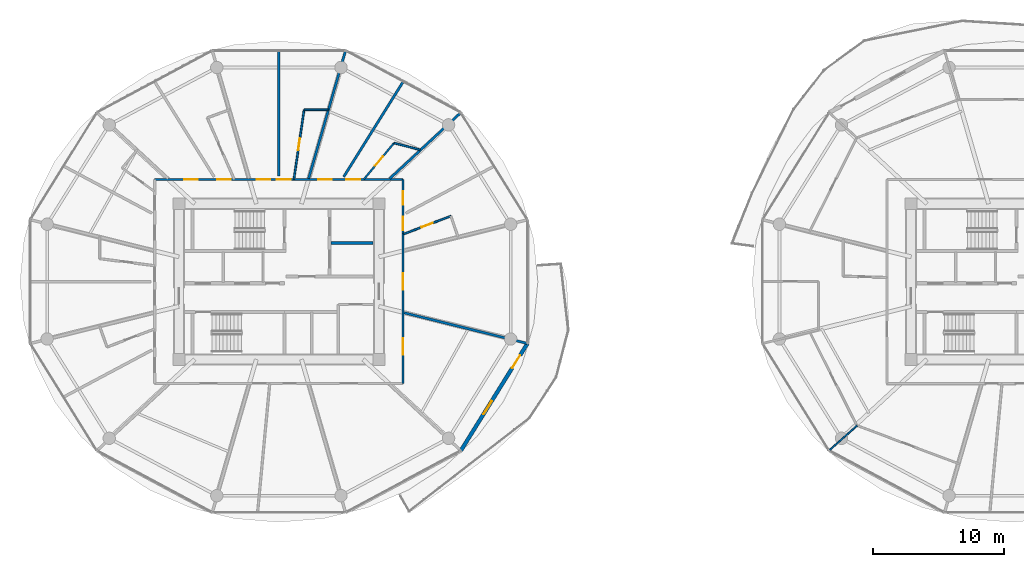
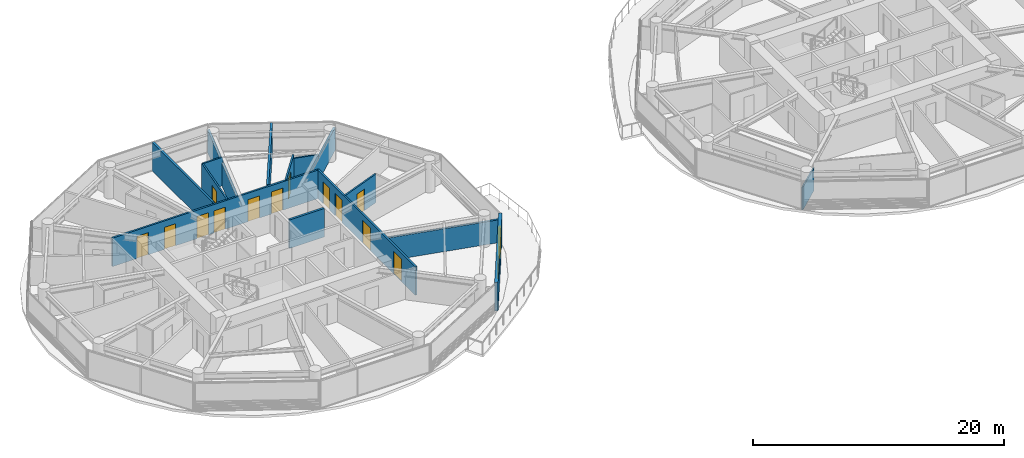
# One storey, part 17 of 26: 15 walls, 14 doors, 1 window, 15 openings.
"""IFC4 building model written with IfcOpenShell, lengths in metres."""

import ifcopenshell
import ifcopenshell.guid

model = None  # the IFC model being written
_history = None  # IfcOwnerHistory: only IFC2X3 demands one
_inside = {}  # id of a spatial element -> (the spatial element, [elements in it])
_under = {}  # id of a project, library or spatial element -> (it, [spatial elements below it])
_declared = {}  # id of a project -> (the project, [libraries it declares])
_typed = {}  # id of a type object -> (the type object, [elements of that type])
_made_of = {}  # id of a material, layer set ... -> (it, [elements and type objects made of it])


def new_model(schema):
    """Start an empty IFC model of exactly this schema.

    Asked for "IFC4X3", IfcOpenShell would pick the latest addendum, in which some entities
    have other attributes; the version numbers below select the first issue.
    IFC2X3 requires an IfcOwnerHistory on every rooted entity: one is made here for all.
    """
    global model, _history
    if schema == "IFC4X3":
        model = ifcopenshell.file(schema_version=(4, 3, 0, 0))
    else:
        model = ifcopenshell.file(schema=schema)
    _inside.clear()
    _under.clear()
    _declared.clear()
    _typed.clear()
    _made_of.clear()
    _history = None
    if model.schema == "IFC2X3":
        org = make("IfcOrganization", Name="unknown")
        user = make(
            "IfcPersonAndOrganization",
            ThePerson=make("IfcPerson", FamilyName="unknown"),
            TheOrganization=org,
        )
        app = make(
            "IfcApplication",
            ApplicationDeveloper=org,
            Version="unknown",
            ApplicationFullName="unknown",
            ApplicationIdentifier="unknown",
        )
        _history = make(
            "IfcOwnerHistory",
            OwningUser=user,
            OwningApplication=app,
            ChangeAction="ADDED",
            CreationDate=0,
        )
    return model


def make(cls, **values):
    """One entity of the class cls with the attributes given. An attribute that is None is left unset."""
    return model.create_entity(
        cls, **{name: value for name, value in values.items() if value is not None}
    )


def rooted(cls, **values):
    """An entity with a GlobalId (a new one), such as an element, a storey or a relation."""
    return make(cls, GlobalId=ifcopenshell.guid.new(), OwnerHistory=_history, **values)


def si_unit(unit_type, name, prefix=None):
    """IfcSIUnit, for example si_unit("LENGTHUNIT", "METRE", prefix="MILLI")."""
    return make("IfcSIUnit", UnitType=unit_type, Prefix=prefix, Name=name)


def assignment(units):
    """IfcUnitAssignment: the units of a project."""
    return None if units is None else make("IfcUnitAssignment", Units=units)


def point(xyz):
    """IfcCartesianPoint."""
    return None if xyz is None else make("IfcCartesianPoint", Coordinates=xyz)


def direction(xyz):
    """IfcDirection."""
    return None if xyz is None else make("IfcDirection", DirectionRatios=xyz)


def frame(location, z_axis=None, x_axis=None):
    """IfcAxis2Placement3D, a coordinate frame: its origin and axes. An axis left out is left unset."""
    return make(
        "IfcAxis2Placement3D",
        Location=point(location),
        Axis=direction(z_axis),
        RefDirection=direction(x_axis),
    )


def frame_2d(location, x_axis=None):
    """IfcAxis2Placement2D, a coordinate frame in the plane: its origin and x axis."""
    return make(
        "IfcAxis2Placement2D", Location=point(location), RefDirection=direction(x_axis)
    )


def origin():
    """The frame at (0, 0, 0) with its axes left unset."""
    return frame((0.0, 0.0, 0.0))


def place(relative_to, where):
    """IfcLocalPlacement: puts the frame where relative to a parent placement (None: the world)."""
    return make(
        "IfcLocalPlacement", PlacementRelTo=relative_to, RelativePlacement=where
    )


def context(
    kind, dimensions, precision=None, world=None, true_north=None, identifier=None
):
    """IfcGeometricRepresentationContext, for example the 3D "Model" context."""
    return make(
        "IfcGeometricRepresentationContext",
        ContextIdentifier=identifier,
        ContextType=kind,
        CoordinateSpaceDimension=dimensions,
        Precision=precision,
        WorldCoordinateSystem=world,
        TrueNorth=true_north,
    )


def subcontext(parent, identifier, kind, view, scale=None):
    """IfcGeometricRepresentationSubContext, for example "Body" below "Model"."""
    return make(
        "IfcGeometricRepresentationSubContext",
        ContextIdentifier=identifier,
        ContextType=kind,
        ParentContext=parent,
        TargetScale=scale,
        TargetView=view,
    )


def project(units=None, contexts=None):
    """IfcProject with its units and contexts."""
    return rooted(
        "IfcProject",
        Name="project",
        RepresentationContexts=contexts,
        UnitsInContext=assignment(units),
    )


def spatial(cls, under=None, at=None, **own):
    """A site, building, storey or space (cls), placed at a placement, below another one or the project."""
    s = rooted(cls, ObjectPlacement=at, **own)
    if under is not None:
        _under.setdefault(under.id(), (under, []))[1].append(s)
    return s


def profile(cls, at=None, kind="AREA", **sizes):
    """A parametric profile (cls). Its sizes go by their IFC names, for example OverallWidth=200.0."""
    return make(cls, ProfileType=kind, Position=at, **sizes)


def rectangle(**sizes):
    """IfcRectangleProfileDef."""
    return profile("IfcRectangleProfileDef", **sizes)


def extrude(swept, where, along, depth):
    """IfcExtrudedAreaSolid: the profile swept, set in the frame where, extruded along a direction by depth."""
    return make(
        "IfcExtrudedAreaSolid",
        SweptArea=swept,
        Position=where,
        ExtrudedDirection=direction(along),
        Depth=depth,
    )


def shape(context_of_items, identifier, shape_type, items):
    """IfcShapeRepresentation: the items that make up one representation, for example the "Body"."""
    return make(
        "IfcShapeRepresentation",
        ContextOfItems=context_of_items,
        RepresentationIdentifier=identifier,
        RepresentationType=shape_type,
        Items=items,
    )


def source(mapping_origin, context_of_items, identifier, shape_type, items):
    """IfcRepresentationMap: a shape defined once, which mapped items show again and again."""
    return make(
        "IfcRepresentationMap",
        MappingOrigin=mapping_origin,
        MappedRepresentation=shape(context_of_items, identifier, shape_type, items),
    )


def transform(
    local_origin,
    x_axis=None,
    y_axis=None,
    z_axis=None,
    scale=None,
    scale2=None,
    scale3=None,
    uniform=True,
):
    """IfcCartesianTransformationOperator3D, or its non-uniform kind. x_axis, y_axis, z_axis: its Axis1, 2, 3."""
    if uniform:
        return make(
            "IfcCartesianTransformationOperator3D",
            Axis1=direction(x_axis),
            Axis2=direction(y_axis),
            LocalOrigin=point(local_origin),
            Scale=scale,
            Axis3=direction(z_axis),
        )
    return make(
        "IfcCartesianTransformationOperator3DnonUniform",
        Axis1=direction(x_axis),
        Axis2=direction(y_axis),
        LocalOrigin=point(local_origin),
        Scale=scale,
        Axis3=direction(z_axis),
        Scale2=scale2,
        Scale3=scale3,
    )


def mapped(mapping_source, mapping_target):
    """IfcMappedItem: shows the shape of a source again, moved by a transform."""
    return make(
        "IfcMappedItem", MappingSource=mapping_source, MappingTarget=mapping_target
    )


def material(Name=None, Category=None):
    """IfcMaterial."""
    return make("IfcMaterial", Name=Name, Category=Category)


def layer(
    of_material, thickness, ventilated=None, Name=None, Category=None, Priority=None
):
    """IfcMaterialLayer: one layer of a wall or slab, of a material (None: an air gap)."""
    return make(
        "IfcMaterialLayer",
        Material=of_material,
        LayerThickness=thickness,
        IsVentilated=ventilated,
        Name=Name,
        Category=Category,
        Priority=Priority,
    )


def layer_set(layers, Name=None):
    """IfcMaterialLayerSet."""
    return make("IfcMaterialLayerSet", MaterialLayers=layers, LayerSetName=Name)


def made_of(thing, what):
    """Note that an element or type object is made of a material, layer set ...; save() writes the relation."""
    if what is not None:
        _made_of.setdefault(what.id(), (what, []))[1].append(thing)
    return thing


def type_object(cls, material=None, **own):
    """A type object (cls), such as IfcWallType, which elements share."""
    return made_of(rooted(cls, **own), material)


def type_shapes(of_type, sources):
    """Give a type object the sources (RepresentationMaps) that its elements show as mapped items."""
    of_type.RepresentationMaps = sources


def element(
    cls,
    number,
    at=None,
    inside=None,
    cuts=None,
    type_object=None,
    material=None,
    context=None,
    identifier="Body",
    shape_type=None,
    held_by="IfcProductDefinitionShape",
    body=None,
    shapes=None,
    **own,
):
    """One element of the class cls, such as IfcWall. Its Tag is "e" and its number.

    at: its placement. inside: the storey or other place that contains it. cuts: it is an
    opening in that element (IfcRelVoidsElement). A single representation is given by context,
    identifier, shape_type and body (its items); several are given by shapes. held_by: the class
    of the entity that holds the representations. save() writes the other relations.
    """
    e = rooted(cls, Tag="e%d" % number, ObjectPlacement=at, **own)
    if body is not None:
        shapes = [shape(context, identifier, shape_type, body)]
    if shapes is not None:
        e.Representation = make(held_by, Representations=shapes)
    if inside is not None:
        _inside.setdefault(inside.id(), (inside, []))[1].append(e)
    if cuts is not None:
        rooted(
            "IfcRelVoidsElement", RelatingBuildingElement=cuts, RelatedOpeningElement=e
        )
    if type_object is not None:
        _typed.setdefault(type_object.id(), (type_object, []))[1].append(e)
    return made_of(e, material)


def fill(opening, filler):
    """IfcRelFillsElement: the door or window that sits in an opening."""
    return rooted(
        "IfcRelFillsElement",
        RelatingOpeningElement=opening,
        RelatedBuildingElement=filler,
    )


def aggregate(whole, parts):
    """IfcRelAggregates: a whole, such as a stair, and the parts it consists of."""
    return rooted("IfcRelAggregates", RelatingObject=whole, RelatedObjects=parts)


def save(model, path):
    """Write the relations noted so far, then the file.

    IfcRelAggregates (storeys below a building ...), IfcRelContainedInSpatialStructure (elements
    in a storey), IfcRelDefinesByType, IfcRelAssociatesMaterial and IfcRelDeclares: one each for
    every whole, place, type object, material and project.
    """
    for whole, parts in _under.values():
        aggregate(whole, parts)
    for where, things in _inside.values():
        rooted(
            "IfcRelContainedInSpatialStructure",
            RelatedElements=things,
            RelatingStructure=where,
        )
    for kind, things in _typed.values():
        rooted("IfcRelDefinesByType", RelatedObjects=things, RelatingType=kind)
    for what, things in _made_of.values():
        rooted("IfcRelAssociatesMaterial", RelatedObjects=things, RelatingMaterial=what)
    for by, libraries in _declared.values():
        rooted("IfcRelDeclares", RelatingContext=by, RelatedDefinitions=libraries)
    model.write(path)


model = new_model("IFC4")

# Units and contexts
model_context = context("Model", 3, precision=1e-05, world=origin(), true_north=direction((0.0, 1.0)))
body_context = subcontext(model_context, "Body", "Model", "MODEL_VIEW")
ifc_project = project(units=[si_unit("LENGTHUNIT", "METRE"), si_unit("AREAUNIT", "SQUARE_METRE"), si_unit("VOLUMEUNIT", "CUBIC_METRE"), si_unit("PLANEANGLEUNIT", "RADIAN"), si_unit("MASSUNIT", "GRAM", prefix="KILO")], contexts=[model_context])

# Site, building, storey
site_placement = place(None, origin())
site = spatial("IfcSite", under=ifc_project, at=site_placement, CompositionType="ELEMENT")
building_placement = place(site_placement, origin())
building = spatial("IfcBuilding", under=site, at=building_placement, Name="Norrkilde Senior Care Towers", CompositionType="ELEMENT")
storey_placement = place(building_placement, frame((0.0, 0.0, 64.300048828125)))
storey = spatial("IfcBuildingStorey", under=building, at=storey_placement, Name="L19", CompositionType="ELEMENT", Elevation=64.300048828125)

# Wall, openings, door, window
ifc_material_1 = material(Name="Precast concrete C45/55", Category="concrete")
ifc_layer_1 = layer(ifc_material_1, 0.2900390625)
ifc_layer_set_1 = layer_set([ifc_layer_1], Name="Precast concrete C45/55")
wall_type_1 = type_object("IfcWallType", Name="Winter Garden Facade Wall 290", PredefinedType="SOLIDWALL", material=ifc_layer_set_1)
shared_shape_1 = source(origin(), body_context, "Body", "SweptSolid", [
    extrude(rectangle(XDim=9.64892578125, YDim=0.2900390625, at=frame_2d((4.824462890625, 0.0))), origin(), (0.0, 0.0, 1.0), 2.7900390625),
])
type_shapes(wall_type_1, [shared_shape_1])
wall_1_placement = place(storey_placement, frame((-8.990478515625, -4.731201171875, 0.0), z_axis=(0.0, 0.0, 1.0), x_axis=(-0.527909458386, -0.849300655684, 0.0)))
wall_1 = element("IfcWall", 1, at=wall_1_placement, inside=storey, type_object=wall_type_1, Name="L19 Drum W Balcony Access Wall 10", PredefinedType="SOLIDWALL", context=body_context, shape_type="MappedRepresentation", body=[
    mapped(shared_shape_1, transform((0.0, 0.0, 0.0), x_axis=(1.0, 0.0, 0.0), y_axis=(0.0, 1.0, 0.0), z_axis=(0.0, 0.0, 1.0), scale=1.0)),
])
opening_1_placement = place(wall_1_placement, frame((1.06005859375, 0.0, 0.0)))
opening_1 = element("IfcOpeningElement", 2, at=opening_1_placement, cuts=wall_1, Name="Opening D-09", PredefinedType="OPENING", context=body_context, shape_type="SweptSolid", body=[
    extrude(rectangle(XDim=1.14990234375, YDim=2.25, at=frame_2d((0.574951171875, 1.125))), frame((0.0, 0.155029296875, 0.0), z_axis=(0.0, -1.0, 0.0), x_axis=(1.0, 0.0, 0.0)), (0.0, 0.0, 1.0), 0.31005859375),
])
opening_2_placement = place(wall_1_placement, frame((5.17431640625, 0.0, 0.85009765625)))
opening_2 = element("IfcOpeningElement", 3, at=opening_2_placement, cuts=wall_1, Name="Opening WN-07", PredefinedType="OPENING", context=body_context, shape_type="SweptSolid", body=[
    extrude(rectangle(XDim=1.199951171875, YDim=1.5, at=frame_2d((0.60009765625, 0.75))), frame((0.0, 0.155029296875, 0.0), z_axis=(0.0, -1.0, 0.0), x_axis=(1.0, 0.0, 0.0)), (0.0, 0.0, 1.0), 0.31005859375),
])
ifc_material_2 = material(Name="Anodised Aluminium", Category="aluminium")
door_type_1 = type_object("IfcDoorType", Name="Terrace and Balcony Glazed Door 1150x2250", OperationType="NOTDEFINED", PredefinedType="DOOR", material=ifc_material_2)
shared_shape_2 = source(origin(), body_context, "Body", "SweptSolid", [
    extrude(rectangle(XDim=1.14990234375, YDim=2.25, at=frame_2d((0.574951171875, 1.125))), frame((0.0, 0.02490234375, 0.0), z_axis=(0.0, -1.0, 0.0), x_axis=(1.0, 0.0, 0.0)), (0.0, 0.0, 1.0), 0.050048828125),
])
type_shapes(door_type_1, [shared_shape_2])
door_1_placement = place(opening_1_placement, origin())
door_1 = element("IfcDoor", 4, at=door_1_placement, inside=storey, type_object=door_type_1, Name="L19 Drum W Outdoor Terrace Door 10", OperationType="SINGLE_SWING_LEFT", OverallHeight=2.25, OverallWidth=1.14990234375, PredefinedType="DOOR", context=body_context, shape_type="MappedRepresentation", body=[
    mapped(shared_shape_2, transform((0.0, 0.0, 0.0), x_axis=(1.0, 0.0, 0.0), y_axis=(0.0, 1.0, 0.0), z_axis=(0.0, 0.0, 1.0), scale=1.0)),
])
fill(opening_1, door_1)
ifc_material_3 = material(Name="Triple Low-E Insulated Glazing", Category="glass")
window_type = type_object("IfcWindowType", Name="Stairwell Smoke Vent Window 1200x1500", PartitioningType="SINGLE_PANEL", PredefinedType="WINDOW", material=ifc_material_3)
shared_shape_3 = source(origin(), body_context, "Body", "SweptSolid", [
    extrude(rectangle(XDim=1.199951171875, YDim=1.5, at=frame_2d((0.60009765625, 0.75))), frame((0.0, 0.030029296875, 0.0), z_axis=(0.0, -1.0, 0.0), x_axis=(1.0, 0.0, 0.0)), (0.0, 0.0, 1.0), 0.06005859375),
])
type_shapes(window_type, [shared_shape_3])
window_placement = place(opening_2_placement, origin())
window = element("IfcWindow", 5, at=window_placement, inside=storey, type_object=window_type, Name="L19 Drum W Winter Garden Window 10", OverallHeight=1.5, OverallWidth=1.199951171875, PartitioningType="SINGLE_PANEL", PredefinedType="WINDOW", context=body_context, shape_type="MappedRepresentation", body=[
    mapped(shared_shape_3, transform((0.0, 0.0, 0.0), x_axis=(1.0, 0.0, 0.0), y_axis=(0.0, 1.0, 0.0), z_axis=(0.0, 0.0, 1.0), scale=1.0)),
])
fill(opening_2, window)

# Wall
ifc_material_4 = material(Name="Concrete C45/55", Category="concrete")
ifc_layer_2 = layer(ifc_material_4, 0.199951171875)
ifc_layer_set_2 = layer_set([ifc_layer_2], Name="Concrete C45/55")
wall_type_2 = type_object("IfcWallType", Name="Shaft Division and Plant Partition 200", PredefinedType="PARTITIONING", material=ifc_layer_set_2)
shared_shape_4 = source(origin(), body_context, "Body", "SweptSolid", [
    extrude(rectangle(XDim=3.199951171875, YDim=0.199951171875, at=frame_2d((1.60009765625, 0.0))), origin(), (0.0, 0.0, 1.0), 2.77490234375),
])
type_shapes(wall_type_2, [shared_shape_4])
wall_2_placement = place(storey_placement, frame((-24.0, 2.949951171875, 0.0), z_axis=(0.0, 0.0, 1.0), x_axis=(1.0, 0.0, 0.0)))
element("IfcWall", 6, at=wall_2_placement, inside=storey, type_object=wall_type_2, Name="WL-INT-L19-W-FFLDIV", PredefinedType="PARTITIONING", context=body_context, shape_type="MappedRepresentation", body=[
    mapped(shared_shape_4, transform((0.0, 0.0, 0.0), x_axis=(1.0, 0.0, 0.0), y_axis=(0.0, 1.0, 0.0), z_axis=(0.0, 0.0, 1.0), scale=1.0)),
])

# Wall, openings, doors
ifc_material_5 = material(Name="Gypsum Acoustic Board")
ifc_layer_3 = layer(ifc_material_5, 0.1650390625)
ifc_layer_set_3 = layer_set([ifc_layer_3], Name="Gypsum Acoustic Board")
wall_type_3 = type_object("IfcWallType", Name="Corridor Rated Partition 165", PredefinedType="PARTITIONING", material=ifc_layer_set_3)
shared_shape_5 = source(origin(), body_context, "Body", "SweptSolid", [
    extrude(rectangle(XDim=19.0, YDim=0.1650390625, at=frame_2d((9.5, 0.0))), origin(), (0.0, 0.0, 1.0), 2.77490234375),
])
wall_3_placement = place(storey_placement, frame((-37.5, 7.800048828125, 0.0), z_axis=(0.0, 0.0, 1.0), x_axis=(1.0, 0.0, 0.0)))
wall_3 = element("IfcWall", 7, at=wall_3_placement, inside=storey, type_object=wall_type_3, Name="WL-INT-L19-W-CRW-N-0", PredefinedType="PARTITIONING", context=body_context, shape_type="MappedRepresentation", body=[
    mapped(shared_shape_5, transform((0.0, 0.0, 0.0), x_axis=(1.0, 0.0, 0.0), y_axis=(0.0, 1.0, 0.0), z_axis=(0.0, 0.0, 1.0), scale=1.0)),
])
opening_3_placement = place(wall_3_placement, frame((14.6533203125, 0.0, 0.0)))
opening_3 = element("IfcOpeningElement", 8, at=opening_3_placement, cuts=wall_3, Name="Opening D-06", PredefinedType="OPENING", context=body_context, shape_type="SweptSolid", body=[
    extrude(rectangle(XDim=1.050048828125, YDim=2.14990234375, at=frame_2d((0.52490234375, 1.074951171875))), frame((0.0, 0.092529296875, 0.0), z_axis=(0.0, -1.0, 0.0), x_axis=(1.0, 0.0, 0.0)), (0.0, 0.0, 1.0), 0.18505859375),
])
opening_4_placement = place(wall_3_placement, frame((12.499755859375, 0.0, 0.0)))
opening_4 = element("IfcOpeningElement", 9, at=opening_4_placement, cuts=wall_3, Name="Opening D-06", PredefinedType="OPENING", context=body_context, shape_type="SweptSolid", body=[
    extrude(rectangle(XDim=1.050048828125, YDim=2.14990234375, at=frame_2d((0.52490234375, 1.074951171875))), frame((0.0, 0.092529296875, 0.0), z_axis=(0.0, -1.0, 0.0), x_axis=(1.0, 0.0, 0.0)), (0.0, 0.0, 1.0), 0.18505859375),
])
opening_5_placement = place(wall_3_placement, frame((9.351806640625, 0.0, 0.0)))
opening_5 = element("IfcOpeningElement", 10, at=opening_5_placement, cuts=wall_3, Name="Opening D-06", PredefinedType="OPENING", context=body_context, shape_type="SweptSolid", body=[
    extrude(rectangle(XDim=1.050048828125, YDim=2.14990234375, at=frame_2d((0.52490234375, 1.074951171875))), frame((0.0, 0.092529296875, 0.0), z_axis=(0.0, -1.0, 0.0), x_axis=(1.0, 0.0, 0.0)), (0.0, 0.0, 1.0), 0.18505859375),
])
opening_6_placement = place(wall_3_placement, frame((7.806396484375, 0.0, 0.0)))
opening_6 = element("IfcOpeningElement", 11, at=opening_6_placement, cuts=wall_3, Name="Opening D-06", PredefinedType="OPENING", context=body_context, shape_type="SweptSolid", body=[
    extrude(rectangle(XDim=1.050048828125, YDim=2.14990234375, at=frame_2d((0.52490234375, 1.074951171875))), frame((0.0, 0.092529296875, 0.0), z_axis=(0.0, -1.0, 0.0), x_axis=(1.0, 0.0, 0.0)), (0.0, 0.0, 1.0), 0.18505859375),
])
opening_7_placement = place(wall_3_placement, frame((4.77294921875, 0.0, 0.0)))
opening_7 = element("IfcOpeningElement", 12, at=opening_7_placement, cuts=wall_3, Name="Opening D-06", PredefinedType="OPENING", context=body_context, shape_type="SweptSolid", body=[
    extrude(rectangle(XDim=1.050048828125, YDim=2.14990234375, at=frame_2d((0.52490234375, 1.074951171875))), frame((0.0, 0.092529296875, 0.0), z_axis=(0.0, -1.0, 0.0), x_axis=(1.0, 0.0, 0.0)), (0.0, 0.0, 1.0), 0.18505859375),
])
opening_8_placement = place(wall_3_placement, frame((2.251220703125, 0.0, 0.0)))
opening_8 = element("IfcOpeningElement", 13, at=opening_8_placement, cuts=wall_3, Name="Opening D-06", PredefinedType="OPENING", context=body_context, shape_type="SweptSolid", body=[
    extrude(rectangle(XDim=1.050048828125, YDim=2.14990234375, at=frame_2d((0.52490234375, 1.074951171875))), frame((0.0, 0.092529296875, 0.0), z_axis=(0.0, -1.0, 0.0), x_axis=(1.0, 0.0, 0.0)), (0.0, 0.0, 1.0), 0.18505859375),
])
ifc_material_6 = material(Name="Nordic Ash Timber", Category="wood")
door_type_2 = type_object("IfcDoorType", Name="Apartment Entrance Fire Door 1050x2150", OperationType="NOTDEFINED", PredefinedType="DOOR", material=ifc_material_6)
shared_shape_6 = source(origin(), body_context, "Body", "SweptSolid", [
    extrude(rectangle(XDim=1.050048828125, YDim=2.14990234375, at=frame_2d((0.52490234375, 1.074951171875))), frame((0.0, 0.02490234375, 0.0), z_axis=(0.0, -1.0, 0.0), x_axis=(1.0, 0.0, 0.0)), (0.0, 0.0, 1.0), 0.050048828125),
])
type_shapes(door_type_2, [shared_shape_6])
door_2_placement = place(opening_3_placement, frame((1.050048828125, 0.0, 0.0), z_axis=(0.0, 0.0, 1.0), x_axis=(-1.0, 0.0, 0.0)))
door_2 = element("IfcDoor", 14, at=door_2_placement, inside=storey, type_object=door_type_2, Name="L19 Care Suite 1901A Entrance Door", OperationType="SINGLE_SWING_LEFT", OverallHeight=2.14990234375, OverallWidth=1.050048828125, PredefinedType="DOOR", context=body_context, shape_type="MappedRepresentation", body=[
    mapped(shared_shape_6, transform((0.0, 0.0, 0.0), x_axis=(1.0, 0.0, 0.0), y_axis=(0.0, 1.0, 0.0), z_axis=(0.0, 0.0, 1.0), scale=1.0)),
])
fill(opening_3, door_2)
door_3_placement = place(opening_4_placement, frame((1.050048828125, 0.0, 0.0), z_axis=(0.0, 0.0, 1.0), x_axis=(-1.0, 0.0, 0.0)))
door_3 = element("IfcDoor", 15, at=door_3_placement, inside=storey, type_object=door_type_2, Name="L19 Therapy Day Lounge 01 Door", OperationType="SINGLE_SWING_LEFT", OverallHeight=2.14990234375, OverallWidth=1.050048828125, PredefinedType="DOOR", context=body_context, shape_type="MappedRepresentation", body=[
    mapped(shared_shape_6, transform((0.0, 0.0, 0.0), x_axis=(1.0, 0.0, 0.0), y_axis=(0.0, 1.0, 0.0), z_axis=(0.0, 0.0, 1.0), scale=1.0)),
])
fill(opening_4, door_3)
door_4_placement = place(opening_5_placement, frame((1.050048828125, 0.0, 0.0), z_axis=(0.0, 0.0, 1.0), x_axis=(-1.0, 0.0, 0.0)))
door_4 = element("IfcDoor", 16, at=door_4_placement, inside=storey, type_object=door_type_2, Name="L19 Care Suite 1902A Entrance Door", OperationType="SINGLE_SWING_RIGHT", OverallHeight=2.14990234375, OverallWidth=1.050048828125, PredefinedType="DOOR", context=body_context, shape_type="MappedRepresentation", body=[
    mapped(shared_shape_6, transform((0.0, 0.0, 0.0), x_axis=(1.0, 0.0, 0.0), y_axis=(0.0, 1.0, 0.0), z_axis=(0.0, 0.0, 1.0), scale=1.0)),
])
fill(opening_5, door_4)
door_5_placement = place(opening_6_placement, frame((1.050048828125, 0.0, 0.0), z_axis=(0.0, 0.0, 1.0), x_axis=(-1.0, 0.0, 0.0)))
door_5 = element("IfcDoor", 17, at=door_5_placement, inside=storey, type_object=door_type_2, Name="L19 Therapy Day Lounge 02 Door", OperationType="SINGLE_SWING_RIGHT", OverallHeight=2.14990234375, OverallWidth=1.050048828125, PredefinedType="DOOR", context=body_context, shape_type="MappedRepresentation", body=[
    mapped(shared_shape_6, transform((0.0, 0.0, 0.0), x_axis=(1.0, 0.0, 0.0), y_axis=(0.0, 1.0, 0.0), z_axis=(0.0, 0.0, 1.0), scale=1.0)),
])
fill(opening_6, door_5)
door_6_placement = place(opening_7_placement, frame((1.050048828125, 0.0, 0.0), z_axis=(0.0, 0.0, 1.0), x_axis=(-1.0, 0.0, 0.0)))
door_6 = element("IfcDoor", 18, at=door_6_placement, inside=storey, type_object=door_type_2, Name="L19 Care Suite 1903A Entrance Door", OperationType="SINGLE_SWING_LEFT", OverallHeight=2.14990234375, OverallWidth=1.050048828125, PredefinedType="DOOR", context=body_context, shape_type="MappedRepresentation", body=[
    mapped(shared_shape_6, transform((0.0, 0.0, 0.0), x_axis=(1.0, 0.0, 0.0), y_axis=(0.0, 1.0, 0.0), z_axis=(0.0, 0.0, 1.0), scale=1.0)),
])
fill(opening_7, door_6)
door_7_placement = place(opening_8_placement, frame((1.050048828125, 0.0, 0.0), z_axis=(0.0, 0.0, 1.0), x_axis=(-1.0, 0.0, 0.0)))
door_7 = element("IfcDoor", 19, at=door_7_placement, inside=storey, type_object=door_type_2, Name="L19 Therapy Day Lounge 03 Door", OperationType="SINGLE_SWING_LEFT", OverallHeight=2.14990234375, OverallWidth=1.050048828125, PredefinedType="DOOR", context=body_context, shape_type="MappedRepresentation", body=[
    mapped(shared_shape_6, transform((0.0, 0.0, 0.0), x_axis=(1.0, 0.0, 0.0), y_axis=(0.0, 1.0, 0.0), z_axis=(0.0, 0.0, 1.0), scale=1.0)),
])
fill(opening_8, door_7)

shared_shape_7 = source(origin(), body_context, "Body", "SweptSolid", [
    extrude(rectangle(XDim=15.60009765625, YDim=0.1650390625, at=frame_2d((7.800048828125, 0.0))), origin(), (0.0, 0.0, 1.0), 2.77490234375),
])
type_shapes(wall_type_3, [shared_shape_5, shared_shape_7])
wall_4_placement = place(storey_placement, frame((-18.5, 7.800048828125, 0.0), z_axis=(0.0, 0.0, 1.0), x_axis=(0.0, -1.0, 0.0)))
wall_4 = element("IfcWall", 20, at=wall_4_placement, inside=storey, type_object=wall_type_3, Name="WL-INT-L19-W-CRW-E-0", PredefinedType="PARTITIONING", context=body_context, shape_type="MappedRepresentation", body=[
    mapped(shared_shape_7, transform((0.0, 0.0, 0.0), x_axis=(1.0, 0.0, 0.0), y_axis=(0.0, 1.0, 0.0), z_axis=(0.0, 0.0, 1.0), scale=1.0)),
])
opening_9_placement = place(wall_4_placement, frame((12.141357421875, 0.0, 0.0)))
opening_9 = element("IfcOpeningElement", 21, at=opening_9_placement, cuts=wall_4, Name="Opening D-05", PredefinedType="OPENING", context=body_context, shape_type="SweptSolid", body=[
    extrude(rectangle(XDim=1.25, YDim=2.199951171875, at=frame_2d((0.625, 1.10009765625))), frame((0.0, 0.092529296875, 0.0), z_axis=(0.0, -1.0, 0.0), x_axis=(1.0, 0.0, 0.0)), (0.0, 0.0, 1.0), 0.18505859375),
])
opening_10_placement = place(wall_4_placement, frame((7.175048828125, 0.0, 0.0)))
opening_10 = element("IfcOpeningElement", 22, at=opening_10_placement, cuts=wall_4, Name="Opening D-05", PredefinedType="OPENING", context=body_context, shape_type="SweptSolid", body=[
    extrude(rectangle(XDim=1.25, YDim=2.199951171875, at=frame_2d((0.625, 1.10009765625))), frame((0.0, 0.092529296875, 0.0), z_axis=(0.0, -1.0, 0.0), x_axis=(1.0, 0.0, 0.0)), (0.0, 0.0, 1.0), 0.18505859375),
])
opening_11_placement = place(wall_4_placement, frame((2.826416015625, 0.0, 0.0)))
opening_11 = element("IfcOpeningElement", 23, at=opening_11_placement, cuts=wall_4, Name="Opening D-06", PredefinedType="OPENING", context=body_context, shape_type="SweptSolid", body=[
    extrude(rectangle(XDim=1.050048828125, YDim=2.14990234375, at=frame_2d((0.52490234375, 1.074951171875))), frame((0.0, 0.092529296875, 0.0), z_axis=(0.0, -1.0, 0.0), x_axis=(1.0, 0.0, 0.0)), (0.0, 0.0, 1.0), 0.18505859375),
])
opening_12_placement = place(wall_4_placement, frame((0.88134765625, 0.0, 0.0)))
opening_12 = element("IfcOpeningElement", 24, at=opening_12_placement, cuts=wall_4, Name="Opening D-06", PredefinedType="OPENING", context=body_context, shape_type="SweptSolid", body=[
    extrude(rectangle(XDim=1.050048828125, YDim=2.14990234375, at=frame_2d((0.52490234375, 1.074951171875))), frame((0.0, 0.092529296875, 0.0), z_axis=(0.0, -1.0, 0.0), x_axis=(1.0, 0.0, 0.0)), (0.0, 0.0, 1.0), 0.18505859375),
])
door_type_3 = type_object("IfcDoorType", Name="Care Bedroom Bariatric Door 1250x2200", OperationType="NOTDEFINED", PredefinedType="DOOR", material=ifc_material_6)
shared_shape_8 = source(origin(), body_context, "Body", "SweptSolid", [
    extrude(rectangle(XDim=1.25, YDim=2.199951171875, at=frame_2d((0.625, 1.10009765625))), frame((0.0, 0.02490234375, 0.0), z_axis=(0.0, -1.0, 0.0), x_axis=(1.0, 0.0, 0.0)), (0.0, 0.0, 1.0), 0.050048828125),
])
type_shapes(door_type_3, [shared_shape_8])
door_8_placement = place(opening_9_placement, frame((1.25, 0.0, 0.0), z_axis=(0.0, 0.0, 1.0), x_axis=(-1.0, 0.0, 0.0)))
door_8 = element("IfcDoor", 25, at=door_8_placement, inside=storey, type_object=door_type_3, Name="L19 Household Communal Dining Salon Door", OperationType="SINGLE_SWING_LEFT", OverallHeight=2.199951171875, OverallWidth=1.25, PredefinedType="DOOR", context=body_context, shape_type="MappedRepresentation", body=[
    mapped(shared_shape_8, transform((0.0, 0.0, 0.0), x_axis=(1.0, 0.0, 0.0), y_axis=(0.0, 1.0, 0.0), z_axis=(0.0, 0.0, 1.0), scale=1.0)),
])
fill(opening_9, door_8)
door_9_placement = place(opening_10_placement, frame((1.25, 0.0, 0.0), z_axis=(0.0, 0.0, 1.0), x_axis=(-1.0, 0.0, 0.0)))
door_9 = element("IfcDoor", 26, at=door_9_placement, inside=storey, type_object=door_type_3, Name="L19 Household Therapeutic Kitchen Door", OperationType="SINGLE_SWING_RIGHT", OverallHeight=2.199951171875, OverallWidth=1.25, PredefinedType="DOOR", context=body_context, shape_type="MappedRepresentation", body=[
    mapped(shared_shape_8, transform((0.0, 0.0, 0.0), x_axis=(1.0, 0.0, 0.0), y_axis=(0.0, 1.0, 0.0), z_axis=(0.0, 0.0, 1.0), scale=1.0)),
])
fill(opening_10, door_9)
door_10_placement = place(opening_11_placement, frame((1.050048828125, 0.0, 0.0), z_axis=(0.0, 0.0, 1.0), x_axis=(-1.0, 0.0, 0.0)))
door_10 = element("IfcDoor", 27, at=door_10_placement, inside=storey, type_object=door_type_2, Name="L19 Care Suite 1900A Entrance Door", OperationType="SINGLE_SWING_RIGHT", OverallHeight=2.14990234375, OverallWidth=1.050048828125, PredefinedType="DOOR", context=body_context, shape_type="MappedRepresentation", body=[
    mapped(shared_shape_6, transform((0.0, 0.0, 0.0), x_axis=(1.0, 0.0, 0.0), y_axis=(0.0, 1.0, 0.0), z_axis=(0.0, 0.0, 1.0), scale=1.0)),
])
fill(opening_11, door_10)
door_11_placement = place(opening_12_placement, frame((1.050048828125, 0.0, 0.0), z_axis=(0.0, 0.0, 1.0), x_axis=(-1.0, 0.0, 0.0)))
door_11 = element("IfcDoor", 28, at=door_11_placement, inside=storey, type_object=door_type_2, Name="L19 Therapy Day Lounge 00 Door", OperationType="SINGLE_SWING_RIGHT", OverallHeight=2.14990234375, OverallWidth=1.050048828125, PredefinedType="DOOR", context=body_context, shape_type="MappedRepresentation", body=[
    mapped(shared_shape_6, transform((0.0, 0.0, 0.0), x_axis=(1.0, 0.0, 0.0), y_axis=(0.0, 1.0, 0.0), z_axis=(0.0, 0.0, 1.0), scale=1.0)),
])
fill(opening_12, door_11)

# Walls
ifc_layer_4 = layer(ifc_material_5, 0.18994140625)
ifc_layer_set_4 = layer_set([ifc_layer_4], Name="Gypsum Acoustic Board")
wall_type_4 = type_object("IfcWallType", Name="Unit Demising Acoustic Wall 190", PredefinedType="PARTITIONING", material=ifc_layer_set_4)
shared_shape_9 = source(origin(), body_context, "Body", "SweptSolid", [
    extrude(rectangle(XDim=7.4345703125, YDim=0.18994140625, at=frame_2d((3.71728515625, 0.0))), origin(), (0.0, 0.0, 1.0), 2.224853515625),
])
wall_5_placement = place(storey_placement, frame((-19.51708984375, 7.8798828125, 0.0), z_axis=(0.0, 0.0, 1.0), x_axis=(0.732651956848, 0.680603489652, 0.0)))
element("IfcWall", 29, at=wall_5_placement, inside=storey, type_object=wall_type_4, Name="WL-INT-L19-W-DEM-01-0", PredefinedType="PARTITIONING", context=body_context, shape_type="MappedRepresentation", body=[
    mapped(shared_shape_9, transform((0.0, 0.0, 0.0), x_axis=(1.0, 0.0, 0.0), y_axis=(0.0, 1.0, 0.0), z_axis=(0.0, 0.0, 1.0), scale=1.0)),
])
shared_shape_10 = source(origin(), body_context, "Body", "SweptSolid", [
    extrude(rectangle(XDim=10.196044921875, YDim=0.18994140625, at=frame_2d((5.09814453125, 0.0))), origin(), (0.0, 0.0, 1.0), 2.224853515625),
])
wall_6_placement = place(storey_placement, frame((-25.72705078125, 7.8798828125, 0.0), z_axis=(0.0, 0.0, 1.0), x_axis=(0.277136420347, 0.960830580549, 0.0)))
element("IfcWall", 30, at=wall_6_placement, inside=storey, type_object=wall_type_4, Name="WL-INT-L19-W-DEM-02-0", PredefinedType="PARTITIONING", context=body_context, shape_type="MappedRepresentation", body=[
    mapped(shared_shape_10, transform((0.0, 0.0, 0.0), x_axis=(1.0, 0.0, 0.0), y_axis=(0.0, 1.0, 0.0), z_axis=(0.0, 0.0, 1.0), scale=1.0)),
])
shared_shape_11 = source(origin(), body_context, "Body", "SweptSolid", [
    extrude(rectangle(XDim=8.59814453125, YDim=0.18994140625, at=frame_2d((4.299072265625, 0.0))), origin(), (0.0, 0.0, 1.0), 2.77490234375),
])
wall_7_placement = place(storey_placement, frame((-23.04296875, 8.017333984375, 0.0), z_axis=(0.0, 0.0, 1.0), x_axis=(0.530039776395, 0.847972779893, 0.0)))
element("IfcWall", 31, at=wall_7_placement, inside=storey, type_object=wall_type_4, Name="WL-INT-L19-W-CMID-01", PredefinedType="PARTITIONING", context=body_context, shape_type="MappedRepresentation", body=[
    mapped(shared_shape_11, transform((0.0, 0.0, 0.0), x_axis=(1.0, 0.0, 0.0), y_axis=(0.0, 1.0, 0.0), z_axis=(0.0, 0.0, 1.0), scale=1.0)),
])

# Wall, opening, door
ifc_layer_5 = layer(ifc_material_5, 0.139892578125)
ifc_layer_set_5 = layer_set([ifc_layer_5], Name="Gypsum Acoustic Board")
wall_type_5 = type_object("IfcWallType", Name="En-suite Wet Room Wall 140", PredefinedType="PARTITIONING", material=ifc_layer_set_5)
shared_shape_12 = source(origin(), body_context, "Body", "SweptSolid", [
    extrude(rectangle(XDim=3.594482421875, YDim=0.139892578125, at=frame_2d((1.79736328125, 0.0))), origin(), (0.0, 0.0, 1.0), 2.77490234375),
])
wall_8_placement = place(storey_placement, frame((-21.49560546875, 7.830078125, 0.0), z_axis=(0.0, 0.0, 1.0), x_axis=(0.639001147083, 0.769205781326, 0.0)))
wall_8 = element("IfcWall", 32, at=wall_8_placement, inside=storey, type_object=wall_type_5, Name="WL-INT-L19-W-ES-01A", PredefinedType="PARTITIONING", context=body_context, shape_type="MappedRepresentation", body=[
    mapped(shared_shape_12, transform((0.0, 0.0, 0.0), x_axis=(1.0, 0.0, 0.0), y_axis=(0.0, 1.0, 0.0), z_axis=(0.0, 0.0, 1.0), scale=1.0)),
])
opening_13_placement = place(wall_8_placement, frame((1.33740234375, 0.0, 0.0)))
opening_13 = element("IfcOpeningElement", 33, at=opening_13_placement, cuts=wall_8, Name="Opening D-08", PredefinedType="OPENING", context=body_context, shape_type="SweptSolid", body=[
    extrude(rectangle(XDim=0.919921875, YDim=2.10009765625, at=frame_2d((0.4599609375, 1.050048828125))), frame((0.0, 0.079833984375, 0.0), z_axis=(0.0, -1.0, 0.0), x_axis=(1.0, 0.0, 0.0)), (0.0, 0.0, 1.0), 0.159912109375),
])
door_type_4 = type_object("IfcDoorType", Name="Accessible Wet Room Door 920x2100", OperationType="NOTDEFINED", PredefinedType="DOOR", material=ifc_material_6)
shared_shape_13 = source(origin(), body_context, "Body", "SweptSolid", [
    extrude(rectangle(XDim=0.919921875, YDim=2.10009765625, at=frame_2d((0.4599609375, 1.050048828125))), frame((0.0, 0.02490234375, 0.0), z_axis=(0.0, -1.0, 0.0), x_axis=(1.0, 0.0, 0.0)), (0.0, 0.0, 1.0), 0.050048828125),
])
type_shapes(door_type_4, [shared_shape_13])
door_12_placement = place(opening_13_placement, origin())
door_12 = element("IfcDoor", 34, at=door_12_placement, inside=storey, type_object=door_type_4, Name="L19 Care Suite 1901A Bathroom Door", OperationType="SINGLE_SWING_RIGHT", OverallHeight=2.10009765625, OverallWidth=0.919921875, PredefinedType="DOOR", context=body_context, shape_type="MappedRepresentation", body=[
    mapped(shared_shape_13, transform((0.0, 0.0, 0.0), x_axis=(1.0, 0.0, 0.0), y_axis=(0.0, 1.0, 0.0), z_axis=(0.0, 0.0, 1.0), scale=1.0)),
])
fill(opening_13, door_12)

# Wall
shared_shape_14 = source(origin(), body_context, "Body", "SweptSolid", [
    extrude(rectangle(XDim=9.737060546875, YDim=0.18994140625, at=frame_2d((4.86865234375, 0.0))), origin(), (0.0, 0.0, 1.0), 2.224853515625),
])
wall_9_placement = place(storey_placement, frame((-18.419921875, -2.384521484375, 0.0), z_axis=(0.0, 0.0, 1.0), x_axis=(0.970392716238, -0.241532557375, 0.0)))
element("IfcWall", 35, at=wall_9_placement, inside=storey, type_object=wall_type_4, Name="WL-INT-L19-W-DEM-11-0", PredefinedType="PARTITIONING", context=body_context, shape_type="MappedRepresentation", body=[
    mapped(shared_shape_14, transform((0.0, 0.0, 0.0), x_axis=(1.0, 0.0, 0.0), y_axis=(0.0, 1.0, 0.0), z_axis=(0.0, 0.0, 1.0), scale=1.0)),
])

# Wall, opening, door
shared_shape_15 = source(origin(), body_context, "Body", "SweptSolid", [
    extrude(rectangle(XDim=3.8740234375, YDim=0.139892578125, at=frame_2d((1.93701171875, 0.0))), origin(), (0.0, 0.0, 1.0), 2.77490234375),
])
wall_10_placement = place(storey_placement, frame((-18.469970703125, 3.631591796875, 0.0), z_axis=(0.0, 0.0, 1.0), x_axis=(0.934461775659, 0.35606346321, 0.0)))
wall_10 = element("IfcWall", 36, at=wall_10_placement, inside=storey, type_object=wall_type_5, Name="WL-INT-L19-W-ES-00A", PredefinedType="PARTITIONING", context=body_context, shape_type="MappedRepresentation", body=[
    mapped(shared_shape_15, transform((0.0, 0.0, 0.0), x_axis=(1.0, 0.0, 0.0), y_axis=(0.0, 1.0, 0.0), z_axis=(0.0, 0.0, 1.0), scale=1.0)),
])
opening_14_placement = place(wall_10_placement, frame((1.47705078125, 0.0, 0.0)))
opening_14 = element("IfcOpeningElement", 37, at=opening_14_placement, cuts=wall_10, Name="Opening D-08", PredefinedType="OPENING", context=body_context, shape_type="SweptSolid", body=[
    extrude(rectangle(XDim=0.919921875, YDim=2.10009765625, at=frame_2d((0.4599609375, 1.050048828125))), frame((0.0, 0.079833984375, 0.0), z_axis=(0.0, -1.0, 0.0), x_axis=(1.0, 0.0, 0.0)), (0.0, 0.0, 1.0), 0.159912109375),
])
door_13_placement = place(opening_14_placement, origin())
door_13 = element("IfcDoor", 38, at=door_13_placement, inside=storey, type_object=door_type_4, Name="L19 Care Suite 1900A Bathroom Door", OperationType="SINGLE_SWING_LEFT", OverallHeight=2.10009765625, OverallWidth=0.919921875, PredefinedType="DOOR", context=body_context, shape_type="MappedRepresentation", body=[
    mapped(shared_shape_13, transform((0.0, 0.0, 0.0), x_axis=(1.0, 0.0, 0.0), y_axis=(0.0, 1.0, 0.0), z_axis=(0.0, 0.0, 1.0), scale=1.0)),
])
fill(opening_14, door_13)

# Walls
ifc_layer_6 = layer(ifc_material_5, 0.114990234375)
ifc_layer_set_6 = layer_set([ifc_layer_6], Name="Gypsum Acoustic Board")
wall_type_6 = type_object("IfcWallType", Name="Internal Room Partition 115", PredefinedType="PARTITIONING", material=ifc_layer_set_6)
shared_shape_16 = source(origin(), body_context, "Body", "SweptSolid", [
    extrude(rectangle(XDim=2.887451171875, YDim=0.114990234375, at=frame_2d((1.44384765625, 0.0))), origin(), (0.0, 0.0, 1.0), 2.224853515625),
])
type_shapes(wall_type_6, [shared_shape_16])
wall_11_placement = place(storey_placement, frame((16.2138671875, -11.005615234375, 0.0), z_axis=(0.0, 0.0, 1.0), x_axis=(-0.742448503307, -0.669903142205, 0.0)))
element("IfcWall", 39, at=wall_11_placement, inside=storey, type_object=wall_type_6, Name="WL-INT-L19-E-UBR-05-2", PredefinedType="PARTITIONING", context=body_context, shape_type="MappedRepresentation", body=[
    mapped(shared_shape_16, transform((0.0, 0.0, 0.0), x_axis=(1.0, 0.0, 0.0), y_axis=(0.0, 1.0, 0.0), z_axis=(0.0, 0.0, 1.0), scale=1.0)),
])
shared_shape_17 = source(origin(), body_context, "Body", "SweptSolid", [
    extrude(rectangle(XDim=2.06201171875, YDim=0.139892578125, at=frame_2d((1.031005859375, 0.0))), origin(), (0.0, 0.0, 1.0), 2.4150390625),
])
wall_12_placement = place(storey_placement, frame((-19.19873046875, 10.594970703125, 0.0), z_axis=(0.0, 0.0, 1.0), x_axis=(0.968776253543, -0.247936626121, 0.0)))
element("IfcWall", 40, at=wall_12_placement, inside=storey, type_object=wall_type_5, Name="WL-INT-L19-W-EF-01A", PredefinedType="PARTITIONING", context=body_context, shape_type="MappedRepresentation", body=[
    mapped(shared_shape_17, transform((0.0, 0.0, 0.0), x_axis=(1.0, 0.0, 0.0), y_axis=(0.0, 1.0, 0.0), z_axis=(0.0, 0.0, 1.0), scale=1.0)),
])
shared_shape_18 = source(origin(), body_context, "Body", "SweptSolid", [
    extrude(rectangle(XDim=9.6005859375, YDim=0.18994140625, at=frame_2d((4.80029296875, 0.0))), origin(), (0.0, 0.0, 1.0), 2.77490234375),
])
type_shapes(wall_type_4, [shared_shape_9, shared_shape_10, shared_shape_11, shared_shape_14, shared_shape_18])
wall_13_placement = place(storey_placement, frame((-28.0, 8.075927734375, 0.0), z_axis=(0.0, 0.0, 1.0), x_axis=(0.0, 1.0, 0.0)))
element("IfcWall", 41, at=wall_13_placement, inside=storey, type_object=wall_type_4, Name="WL-INT-L19-W-CMID-02", PredefinedType="PARTITIONING", context=body_context, shape_type="MappedRepresentation", body=[
    mapped(shared_shape_18, transform((0.0, 0.0, 0.0), x_axis=(1.0, 0.0, 0.0), y_axis=(0.0, 1.0, 0.0), z_axis=(0.0, 0.0, 1.0), scale=1.0)),
])

# Wall, opening, door
shared_shape_19 = source(origin(), body_context, "Body", "SweptSolid", [
    extrude(rectangle(XDim=5.36962890625, YDim=0.139892578125, at=frame_2d((2.684814453125, 0.0))), origin(), (0.0, 0.0, 1.0), 2.77490234375),
])
wall_14_placement = place(storey_placement, frame((-26.851318359375, 7.830078125, 0.0), z_axis=(0.0, 0.0, 1.0), x_axis=(0.145131397853, 0.989412389935, 0.0)))
wall_14 = element("IfcWall", 42, at=wall_14_placement, inside=storey, type_object=wall_type_5, Name="WL-INT-L19-W-ES-02A", PredefinedType="PARTITIONING", context=body_context, shape_type="MappedRepresentation", body=[
    mapped(shared_shape_19, transform((0.0, 0.0, 0.0), x_axis=(1.0, 0.0, 0.0), y_axis=(0.0, 1.0, 0.0), z_axis=(0.0, 0.0, 1.0), scale=1.0)),
])
opening_15_placement = place(wall_14_placement, frame((2.224853515625, 0.0, 0.0)))
opening_15 = element("IfcOpeningElement", 43, at=opening_15_placement, cuts=wall_14, Name="Opening D-08", PredefinedType="OPENING", context=body_context, shape_type="SweptSolid", body=[
    extrude(rectangle(XDim=0.919921875, YDim=2.10009765625, at=frame_2d((0.4599609375, 1.050048828125))), frame((0.0, 0.079833984375, 0.0), z_axis=(0.0, -1.0, 0.0), x_axis=(1.0, 0.0, 0.0)), (0.0, 0.0, 1.0), 0.159912109375),
])
door_14_placement = place(opening_15_placement, origin())
door_14 = element("IfcDoor", 44, at=door_14_placement, inside=storey, type_object=door_type_4, Name="L19 Care Suite 1902A Bathroom Door", OperationType="SINGLE_SWING_LEFT", OverallHeight=2.10009765625, OverallWidth=0.919921875, PredefinedType="DOOR", context=body_context, shape_type="MappedRepresentation", body=[
    mapped(shared_shape_13, transform((0.0, 0.0, 0.0), x_axis=(1.0, 0.0, 0.0), y_axis=(0.0, 1.0, 0.0), z_axis=(0.0, 0.0, 1.0), scale=1.0)),
])
fill(opening_15, door_14)

# Wall
shared_shape_20 = source(origin(), body_context, "Body", "SweptSolid", [
    extrude(rectangle(XDim=1.842529296875, YDim=0.139892578125, at=frame_2d((0.92138671875, 0.0))), origin(), (0.0, 0.0, 1.0), 2.77490234375),
])
type_shapes(wall_type_5, [shared_shape_12, shared_shape_15, shared_shape_17, shared_shape_19, shared_shape_20])
wall_15_placement = place(storey_placement, frame((-26.072021484375, 13.142822265625, 0.0), z_axis=(0.0, 0.0, 1.0), x_axis=(0.999998937801, -0.001457531246, 0.0)))
element("IfcWall", 45, at=wall_15_placement, inside=storey, type_object=wall_type_5, Name="WL-INT-L19-W-EF-02A", PredefinedType="PARTITIONING", context=body_context, shape_type="MappedRepresentation", body=[
    mapped(shared_shape_20, transform((0.0, 0.0, 0.0), x_axis=(1.0, 0.0, 0.0), y_axis=(0.0, 1.0, 0.0), z_axis=(0.0, 0.0, 1.0), scale=1.0)),
])

save(model, "model.ifc")
